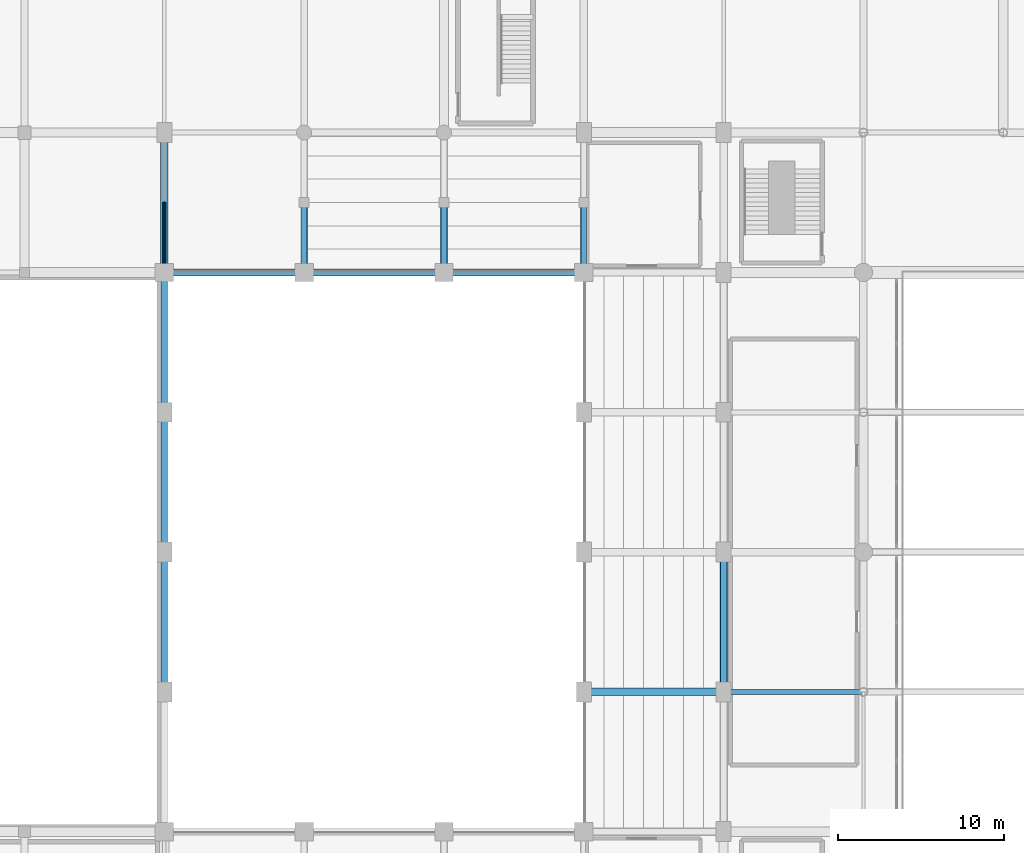
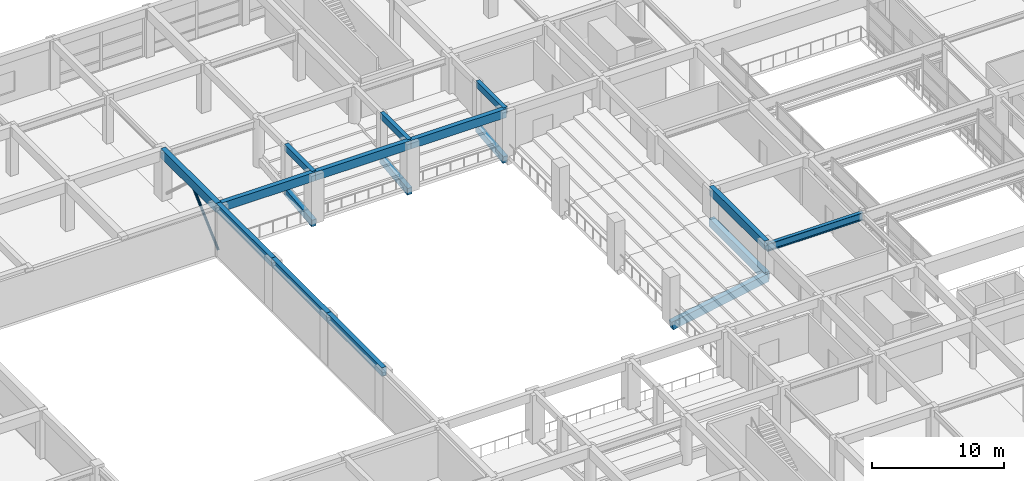
# One storey, part 24 of 62: 17 beams, 1 member.
"""IFC4 building model written with IfcOpenShell, lengths in metres."""

from ifc_helpers import new_model, si_unit, direction, frame, origin, origin_2d, place, context, subcontext, project, spatial, rectangle, hollow_circle, i_section, extrude, material, material_profile, profile_set, type_object, element, save


model = new_model("IFC4")

# Units and contexts
model_context = context("Model", 3, precision=1e-05, world=origin(), true_north=direction((0.0, 1.0)))
body_context = subcontext(model_context, "Body", "Model", "MODEL_VIEW")
ifc_project = project(units=[si_unit("LENGTHUNIT", "METRE"), si_unit("AREAUNIT", "SQUARE_METRE"), si_unit("VOLUMEUNIT", "CUBIC_METRE"), si_unit("PLANEANGLEUNIT", "RADIAN"), si_unit("MASSUNIT", "GRAM", prefix="KILO")], contexts=[model_context])

# Site, building, storey
site_placement = place(None, origin())
site = spatial("IfcSite", under=ifc_project, at=site_placement, CompositionType="ELEMENT")
building_placement = place(site_placement, origin())
building = spatial("IfcBuilding", under=site, at=building_placement, Name="Xuanlan Plaza Opera House", CompositionType="ELEMENT")
storey_placement = place(building_placement, frame((0.0, 0.0, 14.39990234375)))
storey = spatial("IfcBuildingStorey", under=building, at=storey_placement, Name="L03", CompositionType="ELEMENT", Elevation=14.39990234375)

# Beams
ifc_material_1 = material(Name="Concrete C40", Category="concrete")
ifc_material_profile_1 = material_profile(ifc_material_1, rectangle(XDim=0.449951171875, YDim=0.85009765625, at=origin_2d()), Name="RC-BM 450x850")
ifc_profile_set_1 = profile_set([ifc_material_profile_1], Name="Concrete C40")
beam_type_1 = type_object("IfcBeamType", Name="STR-BM-B-04", PredefinedType="BEAM", material=ifc_profile_set_1)
beam_1_placement = place(storey_placement, frame((67.199951171875, 75.60009765625, 4.0751953125), z_axis=(0.0, 1.0, 0.0), x_axis=(-1.0, 0.0, 0.0)))
element("IfcBeam", 1, at=beam_1_placement, inside=storey, type_object=beam_type_1, Name="Grid Beam Y L03 9/J-K", PredefinedType="BEAM", context=body_context, shape_type="SweptSolid", body=[
    extrude(rectangle(XDim=0.449951171875, YDim=0.85009765625, at=origin_2d()), origin(), (0.0, 0.0, 1.0), 8.39990234375),
])
ifc_material_profile_2 = material_profile(ifc_material_1, rectangle(XDim=0.35009765625, YDim=0.60009765625, at=origin_2d()), Name="RC-BM 350x600")
ifc_profile_set_2 = profile_set([ifc_material_profile_2], Name="Concrete C40")
beam_type_2 = type_object("IfcBeamType", Name="STR-BM-B-10", PredefinedType="BEAM", material=ifc_profile_set_2)
for number, where, z_axis, x_axis, name in (
    (2, (75.60009765625, 75.60009765625, 4.2001953125), (0.0, 1.0, 0.0), (-1.0, 0.0, 0.0), "Sub-Bay Beam Y L03 10/JA"),
    (3, (84.0, 75.60009765625, 4.2001953125), (0.0, 1.0, 0.0), (-1.0, 0.0, 0.0), "Sub-Bay Beam Y L03 11/JA"),
    (4, (92.39990234375, 75.60009765625, 4.2001953125), (0.0, 1.0, 0.0), (-1.0, 0.0, 0.0), "Sub-Bay Beam Y L03 12/JA"),
):
    element("IfcBeam", number, at=place(storey_placement, frame(where, z_axis=z_axis, x_axis=x_axis)), inside=storey, type_object=beam_type_2, Name=name, PredefinedType="BEAM", context=body_context, shape_type="SweptSolid", body=[
        extrude(rectangle(XDim=0.35009765625, YDim=0.60009765625, at=origin_2d()), origin(), (0.0, 0.0, 1.0), 4.199951171875),
    ])
ifc_material_profile_3 = material_profile(ifc_material_1, rectangle(XDim=0.449951171875, YDim=0.760009765625, at=origin_2d()), Name="RC-RKR 450x760")
ifc_profile_set_3 = profile_set([ifc_material_profile_3], Name="Concrete C40")
beam_type_3 = type_object("IfcBeamType", Name="STR-BM-RK-01", PredefinedType="BEAM", material=ifc_profile_set_3)
beam_2_placement = place(storey_placement, frame((92.39990234375, 50.39990234375, -0.3798828125), z_axis=(0.983188076512, 0.0, 0.182595745311), x_axis=(0.0, 1.0, 0.0)))
element("IfcBeam", 5, at=beam_2_placement, inside=storey, type_object=beam_type_3, Name="Auditorium Tier Raker Beam L03 Y50", PredefinedType="BEAM", context=body_context, shape_type="SweptSolid", body=[
    extrude(rectangle(XDim=0.449951171875, YDim=0.760009765625, at=origin_2d()), origin(), (0.0, 0.0, 1.0), 8.543701171875),
])
ifc_material_profile_4 = material_profile(ifc_material_1, rectangle(XDim=0.39990234375, YDim=0.659912109375, at=origin_2d()), Name="RC-RKR 400x660")
ifc_profile_set_4 = profile_set([ifc_material_profile_4], Name="Concrete C40")
beam_type_4 = type_object("IfcBeamType", Name="STR-BM-RK-04", PredefinedType="BEAM", material=ifc_profile_set_4)
for number, where, z_axis, x_axis, name in (
    (6, (75.60009765625, 75.60009765625, -0.329833984375), (0.0, 0.994310247159, 0.106522919579), (-1.0, 0.0, 0.0), "Side Vineyard Tier Raker L03 North X75A"),
    (7, (84.0, 75.60009765625, -0.329833984375), (0.0, 0.994310247159, 0.106522919579), (-1.0, 0.0, 0.0), "Side Vineyard Tier Raker L03 North X84A"),
    (8, (92.39990234375, 75.60009765625, -0.329833984375), (0.0, 0.994310247159, 0.106522919579), (-1.0, 0.0, 0.0), "Side Vineyard Tier Raker L03 North X92A"),
):
    element("IfcBeam", number, at=place(storey_placement, frame(where, z_axis=z_axis, x_axis=x_axis)), inside=storey, type_object=beam_type_4, Name=name, PredefinedType="BEAM", context=body_context, shape_type="SweptSolid", body=[
        extrude(rectangle(XDim=0.39990234375, YDim=0.659912109375, at=origin_2d()), origin(), (0.0, 0.0, 1.0), 4.223876953125),
    ])
ifc_material_profile_5 = material_profile(ifc_material_1, rectangle(XDim=0.449951171875, YDim=0.760009765625, at=origin_2d()), Name="RC-RKR 450x760")
ifc_profile_set_5 = profile_set([ifc_material_profile_5], Name="Concrete C40")
beam_type_5 = type_object("IfcBeamType", Name="STR-BM-RKH-03", PredefinedType="BEAM", material=ifc_profile_set_5)
beam_3_placement = place(storey_placement, frame((100.800048828125, 50.39990234375, 1.18017578125), z_axis=(0.0, 1.0, 0.0), x_axis=(-1.0, 0.0, 0.0)))
element("IfcBeam", 9, at=beam_3_placement, inside=storey, type_object=beam_type_5, Name="Auditorium Tier Header Beam L03-2", PredefinedType="BEAM", context=body_context, shape_type="SweptSolid", body=[
    extrude(rectangle(XDim=0.449951171875, YDim=0.760009765625, at=origin_2d()), origin(), (0.0, 0.0, 1.0), 8.400146484375),
])
ifc_material_2 = material(Name="Steel Q355B", Category="steel")
ifc_material_profile_6 = material_profile(ifc_material_2, i_section(OverallWidth=0.300048828125, OverallDepth=0.699951171875, WebThickness=0.012939453125, FlangeThickness=0.02392578125, FilletRadius=0.02392578125, at=origin_2d()), Name="HN 700x300x13x24")
ifc_profile_set_6 = profile_set([ifc_material_profile_6], Name="Steel Q355B")
beam_type_6 = type_object("IfcBeamType", Name="STR-BM-SB-03", PredefinedType="BEAM", material=ifc_profile_set_6)
beam_4_placement = place(storey_placement, frame((100.800048828125, 50.39990234375, 3.885009765625), z_axis=(1.0, 0.0, 0.0), x_axis=(0.0, 1.0, 0.0)))
element("IfcBeam", 10, at=beam_4_placement, inside=storey, type_object=beam_type_6, Name="Grid Beam X L03 13-14/G", PredefinedType="BEAM", context=body_context, shape_type="SweptSolid", body=[
    extrude(i_section(OverallWidth=0.300048828125, OverallDepth=0.699951171875, WebThickness=0.012939453125, FlangeThickness=0.02392578125, FilletRadius=0.02392578125, at=origin_2d()), origin(), (0.0, 0.0, 1.0), 8.39990234375),
])
ifc_material_profile_7 = material_profile(ifc_material_1, rectangle(XDim=0.39990234375, YDim=0.800048828125, at=origin_2d()), Name="RC-SPD 400x800")
ifc_profile_set_7 = profile_set([ifc_material_profile_7], Name="Concrete C40")
beam_type_7 = type_object("IfcBeamType", Name="STR-BM-SP-01", PredefinedType="SPANDREL", material=ifc_profile_set_7)
beam_5_placement = place(storey_placement, frame((67.199951171875, 75.60009765625, 4.10009765625), z_axis=(1.0, 0.0, 0.0), x_axis=(0.0, 1.0, 0.0)))
element("IfcBeam", 11, at=beam_5_placement, inside=storey, type_object=beam_type_7, Name="Grid Beam X L03 9-10/J", PredefinedType="SPANDREL", context=body_context, shape_type="SweptSolid", body=[
    extrude(rectangle(XDim=0.39990234375, YDim=0.800048828125, at=origin_2d()), origin(), (0.0, 0.0, 1.0), 8.400146484375),
])
for number, where, z_axis, x_axis, name in (
    (12, (75.60009765625, 75.60009765625, 4.10009765625), (1.0, 0.0, 0.0), (0.0, 1.0, 0.0), "Grid Beam X L03 10-11/J"),
    (13, (84.0, 75.60009765625, 4.10009765625), (1.0, 0.0, 0.0), (0.0, 1.0, 0.0), "Grid Beam X L03 11-12/J"),
):
    element("IfcBeam", number, at=place(storey_placement, frame(where, z_axis=z_axis, x_axis=x_axis)), inside=storey, type_object=beam_type_7, Name=name, PredefinedType="SPANDREL", context=body_context, shape_type="SweptSolid", body=[
        extrude(rectangle(XDim=0.39990234375, YDim=0.800048828125, at=origin_2d()), origin(), (0.0, 0.0, 1.0), 8.39990234375),
    ])
beam_6_placement = place(storey_placement, frame((67.199951171875, 50.39990234375, 4.10009765625), z_axis=(0.0, 1.0, 0.0), x_axis=(-1.0, 0.0, 0.0)))
element("IfcBeam", 14, at=beam_6_placement, inside=storey, type_object=beam_type_7, Name="Grid Beam Y L03 9/G-H", PredefinedType="SPANDREL", context=body_context, shape_type="SweptSolid", body=[
    extrude(rectangle(XDim=0.39990234375, YDim=0.800048828125, at=origin_2d()), origin(), (0.0, 0.0, 1.0), 8.400146484375),
])
beam_7_placement = place(storey_placement, frame((67.199951171875, 58.800048828125, 4.10009765625), z_axis=(0.0, 1.0, 0.0), x_axis=(-1.0, 0.0, 0.0)))
element("IfcBeam", 15, at=beam_7_placement, inside=storey, type_object=beam_type_7, Name="Grid Beam Y L03 9/H-I", PredefinedType="SPANDREL", context=body_context, shape_type="SweptSolid", body=[
    extrude(rectangle(XDim=0.39990234375, YDim=0.800048828125, at=origin_2d()), origin(), (0.0, 0.0, 1.0), 8.39990234375),
])
for number, where, z_axis, x_axis, name in (
    (16, (67.199951171875, 67.199951171875, 4.10009765625), (0.0, 1.0, 0.0), (-1.0, 0.0, 0.0), "Grid Beam Y L03 9/I-J"),
    (17, (100.800048828125, 50.39990234375, 4.10009765625), (0.0, 1.0, 0.0), (-1.0, 0.0, 0.0), "Grid Beam Y L03 13/G-H"),
):
    element("IfcBeam", number, at=place(storey_placement, frame(where, z_axis=z_axis, x_axis=x_axis)), inside=storey, type_object=beam_type_7, Name=name, PredefinedType="SPANDREL", context=body_context, shape_type="SweptSolid", body=[
        extrude(rectangle(XDim=0.39990234375, YDim=0.800048828125, at=origin_2d()), origin(), (0.0, 0.0, 1.0), 8.400146484375),
    ])

# Member
ifc_material_profile_8 = material_profile(ifc_material_2, hollow_circle(Radius=0.109619140625, WallThickness=0.010009765625, at=origin_2d()), Name="CHS 219.1x10")
ifc_profile_set_8 = profile_set([ifc_material_profile_8], Name="Steel Q355B")
member_type = type_object("IfcMemberType", Name="STR-MEM-BR-05", PredefinedType="BRACE", material=ifc_profile_set_8)
member_placement = place(storey_placement, frame((67.199951171875, 75.60009765625, 0.10009765625), z_axis=(0.0, 0.737141689437, 0.675738210918), x_axis=(-1.0, 0.0, 0.0)))
element("IfcMember", 18, at=member_placement, inside=storey, type_object=member_type, Name="Stage Lateral Chevron Brace L03-3A", PredefinedType="BRACE", context=body_context, shape_type="SweptSolid", body=[
    extrude(hollow_circle(Radius=0.109619140625, WallThickness=0.010009765625, at=origin_2d()), origin(), (0.0, 0.0, 1.0), 5.697509765625),
])

save(model, "model.ifc")
